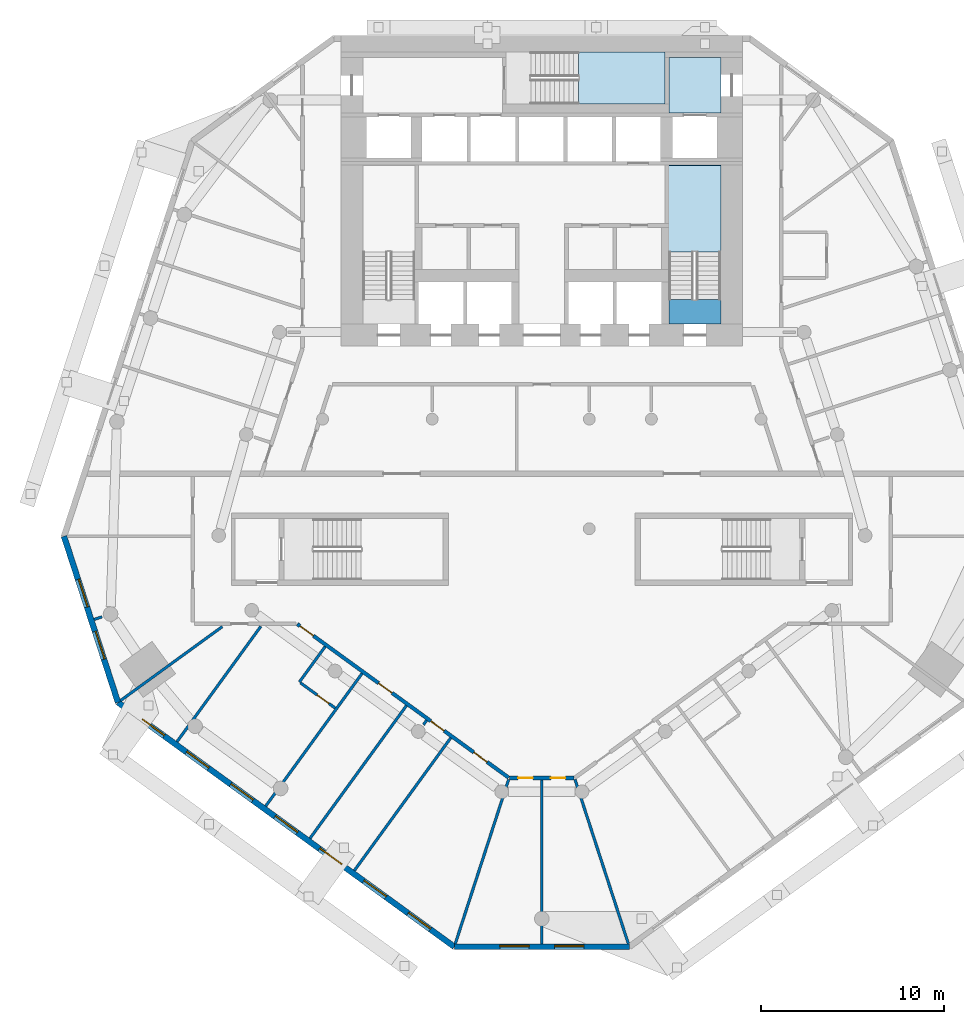
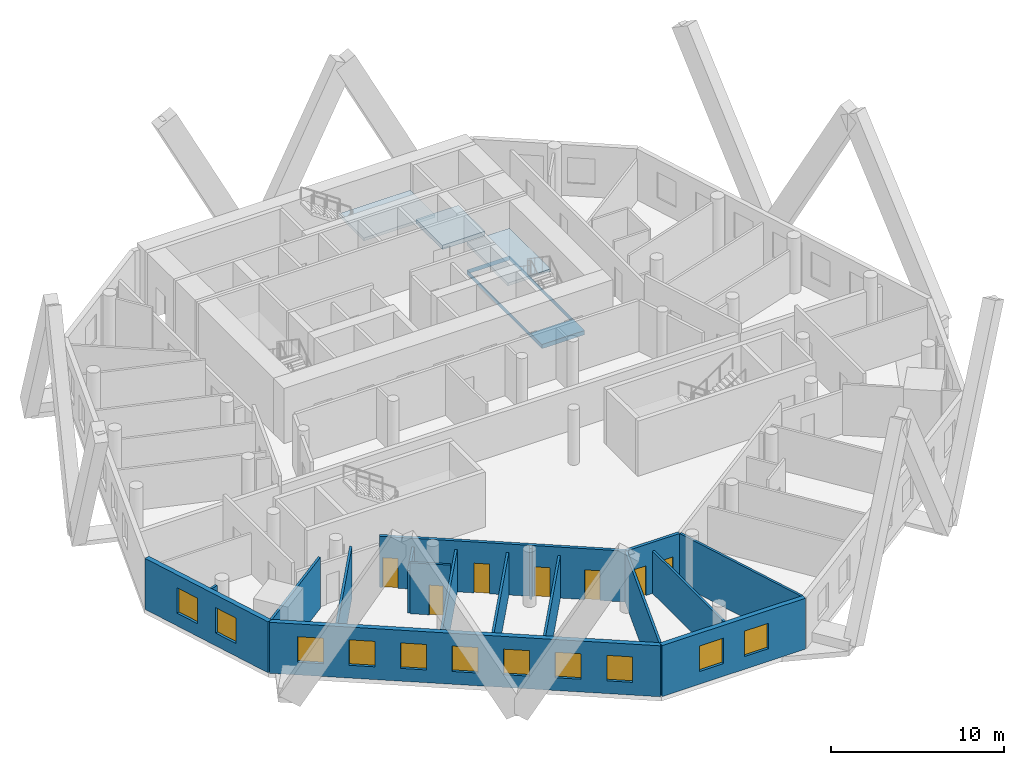
# One storey, part 3 of 10: 17 walls, 11 windows, 7 doors, 4 slabs, 18 openings, 2 elements without a shape of their own.
"""IFC4 building model written with IfcOpenShell, lengths in metres."""

from ifc_helpers import new_model, si_unit, direction, frame, frame_2d, origin, place, context, subcontext, project, spatial, polyline, rectangle, outline, extrude, material, layer, layer_set, type_object, element, fill, aggregate, save


model = new_model("IFC4")

# Units and contexts
model_context = context("Model", 3, precision=1e-05, world=origin(), true_north=direction((0.0, 1.0)))
body_context = subcontext(model_context, "Body", "Model", "MODEL_VIEW")
ifc_project = project(units=[si_unit("LENGTHUNIT", "METRE"), si_unit("AREAUNIT", "SQUARE_METRE"), si_unit("VOLUMEUNIT", "CUBIC_METRE"), si_unit("PLANEANGLEUNIT", "RADIAN"), si_unit("MASSUNIT", "GRAM", prefix="KILO")], contexts=[model_context])

# Site, building, storey
site_placement = place(None, origin())
site = spatial("IfcSite", under=ifc_project, at=site_placement, CompositionType="ELEMENT")
building_placement = place(site_placement, origin())
building = spatial("IfcBuilding", under=site, at=building_placement, Name="White Candle Pilgrim Tower", CompositionType="ELEMENT")
storey_placement = place(building_placement, frame((0.0, 0.0, 42.89990234375)))
storey = spatial("IfcBuildingStorey", under=building, at=storey_placement, Name="L07", CompositionType="ELEMENT", Elevation=42.89990234375)

# Slabs
ifc_material_1 = material(Name="Concrete C40/50", Category="concrete")
ifc_layer_1 = layer(ifc_material_1, 0.300048828125)
ifc_layer_set_1 = layer_set([ifc_layer_1], Name="Core floor slab 300 mm Concrete C40/50")
slab_type_1 = type_object("IfcSlabType", Name="Core floor slab 300 mm Concrete C40/50", PredefinedType="FLOOR", material=ifc_layer_set_1)
slab_1_placement = place(storey_placement, frame((0.0, 0.0, -0.2998046875)))
element("IfcSlab", 1, at=slab_1_placement, inside=storey, type_object=slab_type_1, Name="CF-L07-06", PredefinedType="FLOOR", context=body_context, shape_type="SweptSolid", body=[
    extrude(outline(polyline([(79.800048828125, 86.800048828125), (79.800048828125, 83.75), (76.949951171875, 83.75), (76.949951171875, 84.25), (76.949951171875, 86.800048828125), (79.800048828125, 86.800048828125)])), origin(), (0.0, 0.0, 1.0), 0.2998046875),
])
slab_2_placement = place(storey_placement, frame((0.0, 0.0, -0.2998046875)))
element("IfcSlab", 2, at=slab_2_placement, inside=storey, type_object=slab_type_1, Name="CF-L07-07", PredefinedType="FLOOR", context=body_context, shape_type="SweptSolid", body=[
    extrude(outline(polyline([(79.800048828125, 72.199951171875), (76.949951171875, 72.199951171875), (76.949951171875, 74.5), (76.949951171875, 75.199951171875), (76.949951171875, 77.5), (76.949951171875, 77.699951171875), (76.949951171875, 80.89990234375), (79.800048828125, 80.89990234375), (79.800048828125, 72.199951171875)]), holes=[polyline([(76.951904296875, 73.552001953125), (79.798095703125, 73.552001953125), (79.798095703125, 80.89794921875), (76.951904296875, 80.89794921875), (76.951904296875, 73.552001953125)])]), origin(), (0.0, 0.0, 1.0), 0.2998046875),
])

# Stair, slab
stair_type_1 = type_object("IfcStairType", Name="Exit stair 2 flight width 1350 mm", PredefinedType="HALF_TURN_STAIR", material=ifc_material_1)
stair_1_placement = place(storey_placement, origin())
stair_1 = element("IfcStair", 3, at=stair_1_placement, inside=storey, type_object=stair_type_1, Name="L07 stair 2", PredefinedType="NOTDEFINED")
ifc_layer_2 = layer(ifc_material_1, 0.199951171875)
ifc_layer_set_2 = layer_set([ifc_layer_2], Name="Stair landing Concrete C40/50")
slab_type_2 = type_object("IfcSlabType", Name="Stair landing Concrete C40/50", PredefinedType="LANDING", material=ifc_layer_set_2)
slab_3_placement = place(storey_placement, frame((0.0, 0.0, 1.75)))
slab_3 = element("IfcSlab", 4, at=slab_3_placement, type_object=slab_type_2, Name="ST2 landing 1", PredefinedType="LANDING", context=body_context, shape_type="SweptSolid", body=[
    extrude(outline(polyline([(79.802001953125, 76.14794921875), (76.947998046875, 76.14794921875), (76.947998046875, 80.902099609375), (79.802001953125, 80.902099609375), (79.802001953125, 76.14794921875)])), origin(), (0.0, 0.0, 1.0), 0.2001953125),
])
aggregate(stair_1, [slab_3])

stair_type_2 = type_object("IfcStairType", Name="Exit stair 3 flight width 1350 mm", PredefinedType="HALF_TURN_STAIR", material=ifc_material_1)
stair_2_placement = place(storey_placement, origin())
stair_2 = element("IfcStair", 5, at=stair_2_placement, inside=storey, type_object=stair_type_2, Name="L07 stair 3", PredefinedType="NOTDEFINED")
slab_4_placement = place(storey_placement, frame((0.0, 0.0, 1.75)))
slab_4 = element("IfcSlab", 6, at=slab_4_placement, type_object=slab_type_2, Name="ST3 landing 1", PredefinedType="LANDING", context=body_context, shape_type="SweptSolid", body=[
    extrude(outline(polyline([(71.998046875, 84.248046875), (71.998046875, 87.10205078125), (76.751953125, 87.10205078125), (76.751953125, 84.248046875), (71.998046875, 84.248046875)])), origin(), (0.0, 0.0, 1.0), 0.2001953125),
])
aggregate(stair_2, [slab_4])

# Wall, openings, doors
ifc_material_2 = material(Name="Gypsum board on steel studs", Category="steel")
ifc_layer_3 = layer(ifc_material_2, 0.199951171875)
ifc_layer_set_3 = layer_set([ifc_layer_3], Name="Corridor wall 200 mm EI 45")
wall_type_1 = type_object("IfcWallType", Name="Corridor wall 200 mm EI 45", PredefinedType="PARTITIONING", material=ifc_layer_set_3)
wall_1_placement = place(storey_placement, frame((71.7568359375, 47.354736328125, 0.0), z_axis=(0.0, 0.0, 1.0), x_axis=(-1.0, 0.0, 0.0)))
wall_1 = element("IfcWall", 7, at=wall_1_placement, inside=storey, type_object=wall_type_1, Name="WL-L07-P009", PredefinedType="PARTITIONING", context=body_context, shape_type="SweptSolid", body=[
    extrude(rectangle(XDim=3.513671875, YDim=0.199951171875, at=frame_2d((1.7568359375, 0.0))), origin(), (0.0, 0.0, 1.0), 3.60009765625),
])
opening_1_placement = place(wall_1_placement, frame((2.251708984375, 0.0, 0.0)))
opening_1 = element("IfcOpeningElement", 8, at=opening_1_placement, cuts=wall_1, Name="Opening T02-108", PredefinedType="OPENING", context=body_context, shape_type="SweptSolid", body=[
    extrude(rectangle(XDim=0.800048828125, YDim=2.10009765625, at=frame_2d((0.39990234375, 1.050048828125))), frame((0.0, 0.10986328125, 0.0), z_axis=(0.0, -1.0, 0.0), x_axis=(1.0, 0.0, 0.0)), (0.0, 0.0, 1.0), 0.219970703125),
])
opening_2_placement = place(wall_1_placement, frame((0.462158203125, 0.0, 0.0)))
opening_2 = element("IfcOpeningElement", 9, at=opening_2_placement, cuts=wall_1, Name="Opening T02-109", PredefinedType="OPENING", context=body_context, shape_type="SweptSolid", body=[
    extrude(rectangle(XDim=0.800048828125, YDim=2.10009765625, at=frame_2d((0.39990234375, 1.050048828125))), frame((0.0, 0.10986328125, 0.0), z_axis=(0.0, -1.0, 0.0), x_axis=(1.0, 0.0, 0.0)), (0.0, 0.0, 1.0), 0.219970703125),
])
ifc_material_3 = material(Name="Steel door leaf", Category="steel")
door_type_1 = type_object("IfcDoorType", Name="Fire door 800 x 2100 EI 30", OperationType="NOTDEFINED", PredefinedType="DOOR", material=ifc_material_3)
door_1_placement = place(opening_1_placement, origin())
door_1 = element("IfcDoor", 10, at=door_1_placement, inside=storey, type_object=door_type_1, Name="Door T02-108", OperationType="SINGLE_SWING_RIGHT", OverallHeight=2.10009765625, OverallWidth=0.800048828125, PredefinedType="DOOR", context=body_context, shape_type="SweptSolid", body=[
    extrude(rectangle(XDim=0.800048828125, YDim=2.10009765625, at=frame_2d((0.39990234375, 1.050048828125))), frame((0.0, 0.02490234375, 0.0), z_axis=(0.0, -1.0, 0.0), x_axis=(1.0, 0.0, 0.0)), (0.0, 0.0, 1.0), 0.050048828125),
])
fill(opening_1, door_1)
door_2_placement = place(opening_2_placement, origin())
door_2 = element("IfcDoor", 11, at=door_2_placement, inside=storey, type_object=door_type_1, Name="Door T02-109", OperationType="SINGLE_SWING_LEFT", OverallHeight=2.10009765625, OverallWidth=0.800048828125, PredefinedType="DOOR", context=body_context, shape_type="SweptSolid", body=[
    extrude(rectangle(XDim=0.800048828125, YDim=2.10009765625, at=frame_2d((0.39990234375, 1.050048828125))), frame((0.0, 0.02490234375, 0.0), z_axis=(0.0, -1.0, 0.0), x_axis=(1.0, 0.0, 0.0)), (0.0, 0.0, 1.0), 0.050048828125),
])
fill(opening_2, door_2)

wall_2_placement = place(storey_placement, frame((68.184326171875, 47.373779296875, 0.0), z_axis=(0.0, 0.0, 1.0), x_axis=(-0.809010579214, 0.587794081902, 0.0)))
wall_2 = element("IfcWall", 12, at=wall_2_placement, inside=storey, type_object=wall_type_1, Name="WL-L07-P010", PredefinedType="PARTITIONING", context=body_context, shape_type="SweptSolid", body=[
    extrude(rectangle(XDim=14.302978515625, YDim=0.199951171875, at=frame_2d((7.1513671875, 0.0))), origin(), (0.0, 0.0, 1.0), 3.60009765625),
])
opening_3_placement = place(wall_2_placement, frame((13.215576171875, 0.0, 0.0)))
opening_3 = element("IfcOpeningElement", 13, at=opening_3_placement, cuts=wall_2, Name="Opening T02-104", PredefinedType="OPENING", context=body_context, shape_type="SweptSolid", body=[
    extrude(rectangle(XDim=0.89990234375, YDim=2.10009765625, at=frame_2d((0.449951171875, 1.050048828125))), frame((0.0, 0.10986328125, 0.0), z_axis=(0.0, -1.0, 0.0), x_axis=(1.0, 0.0, 0.0)), (0.0, 0.0, 1.0), 0.219970703125),
])
opening_4_placement = place(wall_2_placement, frame((7.8935546875, 0.0, 0.0)))
opening_4 = element("IfcOpeningElement", 14, at=opening_4_placement, cuts=wall_2, Name="Opening T02-105", PredefinedType="OPENING", context=body_context, shape_type="SweptSolid", body=[
    extrude(rectangle(XDim=0.89990234375, YDim=2.10009765625, at=frame_2d((0.449951171875, 1.050048828125))), frame((0.0, 0.10986328125, 0.0), z_axis=(0.0, -1.0, 0.0), x_axis=(1.0, 0.0, 0.0)), (0.0, 0.0, 1.0), 0.219970703125),
])
opening_5_placement = place(wall_2_placement, frame((4.36865234375, 0.0, 0.0)))
opening_5 = element("IfcOpeningElement", 15, at=opening_5_placement, cuts=wall_2, Name="Opening T02-106", PredefinedType="OPENING", context=body_context, shape_type="SweptSolid", body=[
    extrude(rectangle(XDim=0.89990234375, YDim=2.10009765625, at=frame_2d((0.449951171875, 1.050048828125))), frame((0.0, 0.10986328125, 0.0), z_axis=(0.0, -1.0, 0.0), x_axis=(1.0, 0.0, 0.0)), (0.0, 0.0, 1.0), 0.219970703125),
])
opening_6_placement = place(wall_2_placement, frame((1.45556640625, 0.0, 0.0)))
opening_6 = element("IfcOpeningElement", 16, at=opening_6_placement, cuts=wall_2, Name="Opening T02-107", PredefinedType="OPENING", context=body_context, shape_type="SweptSolid", body=[
    extrude(rectangle(XDim=0.89990234375, YDim=2.10009765625, at=frame_2d((0.449951171875, 1.050048828125))), frame((0.0, 0.10986328125, 0.0), z_axis=(0.0, -1.0, 0.0), x_axis=(1.0, 0.0, 0.0)), (0.0, 0.0, 1.0), 0.219970703125),
])
door_type_2 = type_object("IfcDoorType", Name="Fire door 900 x 2100 EI 30", OperationType="NOTDEFINED", PredefinedType="DOOR", material=ifc_material_3)
door_3_placement = place(opening_3_placement, origin())
door_3 = element("IfcDoor", 17, at=door_3_placement, inside=storey, type_object=door_type_2, Name="Door T02-104", OperationType="SINGLE_SWING_RIGHT", OverallHeight=2.10009765625, OverallWidth=0.89990234375, PredefinedType="DOOR", context=body_context, shape_type="SweptSolid", body=[
    extrude(rectangle(XDim=0.89990234375, YDim=2.10009765625, at=frame_2d((0.449951171875, 1.050048828125))), frame((0.0, 0.02490234375, 0.0), z_axis=(0.0, -1.0, 0.0), x_axis=(1.0, 0.0, 0.0)), (0.0, 0.0, 1.0), 0.050048828125),
])
fill(opening_3, door_3)
door_4_placement = place(opening_4_placement, origin())
door_4 = element("IfcDoor", 18, at=door_4_placement, inside=storey, type_object=door_type_2, Name="Door T02-105", OperationType="SINGLE_SWING_LEFT", OverallHeight=2.10009765625, OverallWidth=0.89990234375, PredefinedType="DOOR", context=body_context, shape_type="SweptSolid", body=[
    extrude(rectangle(XDim=0.89990234375, YDim=2.10009765625, at=frame_2d((0.449951171875, 1.050048828125))), frame((0.0, 0.02490234375, 0.0), z_axis=(0.0, -1.0, 0.0), x_axis=(1.0, 0.0, 0.0)), (0.0, 0.0, 1.0), 0.050048828125),
])
fill(opening_4, door_4)
door_5_placement = place(opening_5_placement, origin())
door_5 = element("IfcDoor", 19, at=door_5_placement, inside=storey, type_object=door_type_2, Name="Door T02-106", OperationType="SINGLE_SWING_LEFT", OverallHeight=2.10009765625, OverallWidth=0.89990234375, PredefinedType="DOOR", context=body_context, shape_type="SweptSolid", body=[
    extrude(rectangle(XDim=0.89990234375, YDim=2.10009765625, at=frame_2d((0.449951171875, 1.050048828125))), frame((0.0, 0.02490234375, 0.0), z_axis=(0.0, -1.0, 0.0), x_axis=(1.0, 0.0, 0.0)), (0.0, 0.0, 1.0), 0.050048828125),
])
fill(opening_5, door_5)
door_6_placement = place(opening_6_placement, origin())
door_6 = element("IfcDoor", 20, at=door_6_placement, inside=storey, type_object=door_type_2, Name="Door T02-107", OperationType="SINGLE_SWING_LEFT", OverallHeight=2.10009765625, OverallWidth=0.89990234375, PredefinedType="DOOR", context=body_context, shape_type="SweptSolid", body=[
    extrude(rectangle(XDim=0.89990234375, YDim=2.10009765625, at=frame_2d((0.449951171875, 1.050048828125))), frame((0.0, 0.02490234375, 0.0), z_axis=(0.0, -1.0, 0.0), x_axis=(1.0, 0.0, 0.0)), (0.0, 0.0, 1.0), 0.050048828125),
])
fill(opening_6, door_6)

# Wall, openings, windows
ifc_material_4 = material(Name="Precast concrete C40/50", Category="concrete")
ifc_layer_4 = layer(ifc_material_4, 0.320068359375)
ifc_layer_set_4 = layer_set([ifc_layer_4], Name="Facade wall EW1 precast concrete C40/50 pier wall with timber-lined reveals")
wall_type_2 = type_object("IfcWallType", Name="Facade wall EW1 precast concrete C40/50 pier wall with timber-lined reveals", PredefinedType="SOLIDWALL", material=ifc_layer_set_4)
wall_3_placement = place(storey_placement, frame((43.8408203125, 60.59130859375, 0.0), z_axis=(0.0, 0.0, 1.0), x_axis=(0.309023765379, -0.951054316236, 0.0)))
wall_3 = element("IfcWall", 21, at=wall_3_placement, inside=storey, type_object=wall_type_2, Name="Facade wall L07 W chamfer", PredefinedType="SOLIDWALL", context=body_context, shape_type="SweptSolid", body=[
    extrude(rectangle(XDim=9.56884765625, YDim=0.320068359375, at=frame_2d((4.784423828125, 0.0))), origin(), (0.0, 0.0, 1.0), 3.60009765625),
])
opening_7_placement = place(wall_3_placement, frame((2.484375, 0.0, 0.89990234375)))
opening_7 = element("IfcOpeningElement", 22, at=opening_7_placement, cuts=wall_3, Name="Opening W2", PredefinedType="OPENING", context=body_context, shape_type="SweptSolid", body=[
    extrude(rectangle(XDim=1.60009765625, YDim=1.800048828125, at=frame_2d((0.800048828125, 0.89990234375))), frame((0.0, 0.169921875, 0.0), z_axis=(0.0, -1.0, 0.0), x_axis=(1.0, 0.0, 0.0)), (0.0, 0.0, 1.0), 0.340087890625),
])
opening_8_placement = place(wall_3_placement, frame((5.484375, 0.0, 0.89990234375)))
opening_8 = element("IfcOpeningElement", 23, at=opening_8_placement, cuts=wall_3, Name="Opening W2", PredefinedType="OPENING", context=body_context, shape_type="SweptSolid", body=[
    extrude(rectangle(XDim=1.60009765625, YDim=1.800048828125, at=frame_2d((0.800048828125, 0.89990234375))), frame((0.0, 0.169921875, 0.0), z_axis=(0.0, -1.0, 0.0), x_axis=(1.0, 0.0, 0.0)), (0.0, 0.0, 1.0), 0.340087890625),
])
ifc_material_5 = material(Name="Timber frame with triple glazing", Category="wood")
window_type_1 = type_object("IfcWindowType", Name="Window W2 1600x1800 timber frame triple glazing", PartitioningType="SINGLE_PANEL", PredefinedType="WINDOW", material=ifc_material_5)
window_1_placement = place(opening_7_placement, origin())
window_1 = element("IfcWindow", 24, at=window_1_placement, inside=storey, type_object=window_type_1, Name="Window W2 L07 W chamfer 1", OverallHeight=1.800048828125, OverallWidth=1.60009765625, PartitioningType="SINGLE_PANEL", PredefinedType="WINDOW", context=body_context, shape_type="SweptSolid", body=[
    extrude(rectangle(XDim=1.60009765625, YDim=1.800048828125, at=frame_2d((0.800048828125, 0.89990234375))), frame((0.0, 0.070068359375, 0.0), z_axis=(0.0, -1.0, 0.0), x_axis=(1.0, 0.0, 0.0)), (0.0, 0.0, 1.0), 0.06005859375),
])
fill(opening_7, window_1)
window_2_placement = place(opening_8_placement, origin())
window_2 = element("IfcWindow", 25, at=window_2_placement, inside=storey, type_object=window_type_1, Name="Window W2 L07 W chamfer 2", OverallHeight=1.800048828125, OverallWidth=1.60009765625, PartitioningType="SINGLE_PANEL", PredefinedType="WINDOW", context=body_context, shape_type="SweptSolid", body=[
    extrude(rectangle(XDim=1.60009765625, YDim=1.800048828125, at=frame_2d((0.800048828125, 0.89990234375))), frame((0.0, 0.070068359375, 0.0), z_axis=(0.0, -1.0, 0.0), x_axis=(1.0, 0.0, 0.0)), (0.0, 0.0, 1.0), 0.06005859375),
])
fill(opening_8, window_2)

wall_4_placement = place(storey_placement, frame((46.7978515625, 51.49072265625, 0.0), z_axis=(0.0, 0.0, 1.0), x_axis=(0.80901991267, -0.587781235583, 0.0)))
wall_4 = element("IfcWall", 26, at=wall_4_placement, inside=storey, type_object=wall_type_2, Name="Facade wall L07 SW", PredefinedType="SOLIDWALL", context=body_context, shape_type="SweptSolid", body=[
    extrude(rectangle(XDim=22.7568359375, YDim=0.320068359375, at=frame_2d((11.37841796875, 0.0))), origin(), (0.0, 0.0, 1.0), 3.60009765625),
])
opening_9_placement = place(wall_4_placement, frame((1.62841796875, 0.0, 0.89990234375)))
opening_9 = element("IfcOpeningElement", 27, at=opening_9_placement, cuts=wall_4, Name="Opening W1", PredefinedType="OPENING", context=body_context, shape_type="SweptSolid", body=[
    extrude(rectangle(XDim=1.5, YDim=1.800048828125, at=frame_2d((0.75, 0.89990234375))), frame((0.0, 0.169921875, 0.0), z_axis=(0.0, -1.0, 0.0), x_axis=(1.0, 0.0, 0.0)), (0.0, 0.0, 1.0), 0.340087890625),
])
opening_10_placement = place(wall_4_placement, frame((4.62841796875, 0.0, 0.89990234375)))
opening_10 = element("IfcOpeningElement", 28, at=opening_10_placement, cuts=wall_4, Name="Opening W1", PredefinedType="OPENING", context=body_context, shape_type="SweptSolid", body=[
    extrude(rectangle(XDim=1.5, YDim=1.800048828125, at=frame_2d((0.75, 0.89990234375))), frame((0.0, 0.169921875, 0.0), z_axis=(0.0, -1.0, 0.0), x_axis=(1.0, 0.0, 0.0)), (0.0, 0.0, 1.0), 0.340087890625),
])
opening_11_placement = place(wall_4_placement, frame((7.62841796875, 0.0, 0.89990234375)))
opening_11 = element("IfcOpeningElement", 29, at=opening_11_placement, cuts=wall_4, Name="Opening W1", PredefinedType="OPENING", context=body_context, shape_type="SweptSolid", body=[
    extrude(rectangle(XDim=1.5, YDim=1.800048828125, at=frame_2d((0.75, 0.89990234375))), frame((0.0, 0.169921875, 0.0), z_axis=(0.0, -1.0, 0.0), x_axis=(1.0, 0.0, 0.0)), (0.0, 0.0, 1.0), 0.340087890625),
])
opening_12_placement = place(wall_4_placement, frame((10.62841796875, 0.0, 0.89990234375)))
opening_12 = element("IfcOpeningElement", 30, at=opening_12_placement, cuts=wall_4, Name="Opening W1", PredefinedType="OPENING", context=body_context, shape_type="SweptSolid", body=[
    extrude(rectangle(XDim=1.5, YDim=1.800048828125, at=frame_2d((0.75, 0.89990234375))), frame((0.0, 0.169921875, 0.0), z_axis=(0.0, -1.0, 0.0), x_axis=(1.0, 0.0, 0.0)), (0.0, 0.0, 1.0), 0.340087890625),
])
opening_13_placement = place(wall_4_placement, frame((13.62841796875, 0.0, 0.89990234375)))
opening_13 = element("IfcOpeningElement", 31, at=opening_13_placement, cuts=wall_4, Name="Opening W1", PredefinedType="OPENING", context=body_context, shape_type="SweptSolid", body=[
    extrude(rectangle(XDim=1.5, YDim=1.800048828125, at=frame_2d((0.75, 0.89990234375))), frame((0.0, 0.169921875, 0.0), z_axis=(0.0, -1.0, 0.0), x_axis=(1.0, 0.0, 0.0)), (0.0, 0.0, 1.0), 0.340087890625),
])
opening_14_placement = place(wall_4_placement, frame((16.62841796875, 0.0, 0.89990234375)))
opening_14 = element("IfcOpeningElement", 32, at=opening_14_placement, cuts=wall_4, Name="Opening W1", PredefinedType="OPENING", context=body_context, shape_type="SweptSolid", body=[
    extrude(rectangle(XDim=1.5, YDim=1.800048828125, at=frame_2d((0.75, 0.89990234375))), frame((0.0, 0.169921875, 0.0), z_axis=(0.0, -1.0, 0.0), x_axis=(1.0, 0.0, 0.0)), (0.0, 0.0, 1.0), 0.340087890625),
])
opening_15_placement = place(wall_4_placement, frame((19.62841796875, 0.0, 0.89990234375)))
opening_15 = element("IfcOpeningElement", 33, at=opening_15_placement, cuts=wall_4, Name="Opening W1", PredefinedType="OPENING", context=body_context, shape_type="SweptSolid", body=[
    extrude(rectangle(XDim=1.5, YDim=1.800048828125, at=frame_2d((0.75, 0.89990234375))), frame((0.0, 0.169921875, 0.0), z_axis=(0.0, -1.0, 0.0), x_axis=(1.0, 0.0, 0.0)), (0.0, 0.0, 1.0), 0.340087890625),
])
window_type_2 = type_object("IfcWindowType", Name="Window W1 1500x1800 timber frame triple glazing", PartitioningType="SINGLE_PANEL", PredefinedType="WINDOW", material=ifc_material_5)
window_3_placement = place(opening_9_placement, origin())
window_3 = element("IfcWindow", 34, at=window_3_placement, inside=storey, type_object=window_type_2, Name="Window W1 L07 SW 1", OverallHeight=1.800048828125, OverallWidth=1.5, PartitioningType="SINGLE_PANEL", PredefinedType="WINDOW", context=body_context, shape_type="SweptSolid", body=[
    extrude(rectangle(XDim=1.5, YDim=1.800048828125, at=frame_2d((0.75, 0.89990234375))), frame((0.0, 0.070068359375, 0.0), z_axis=(0.0, -1.0, 0.0), x_axis=(1.0, 0.0, 0.0)), (0.0, 0.0, 1.0), 0.06005859375),
])
fill(opening_9, window_3)
window_4_placement = place(opening_10_placement, origin())
window_4 = element("IfcWindow", 35, at=window_4_placement, inside=storey, type_object=window_type_2, Name="Window W1 L07 SW 2", OverallHeight=1.800048828125, OverallWidth=1.5, PartitioningType="SINGLE_PANEL", PredefinedType="WINDOW", context=body_context, shape_type="SweptSolid", body=[
    extrude(rectangle(XDim=1.5, YDim=1.800048828125, at=frame_2d((0.75, 0.89990234375))), frame((0.0, 0.070068359375, 0.0), z_axis=(0.0, -1.0, 0.0), x_axis=(1.0, 0.0, 0.0)), (0.0, 0.0, 1.0), 0.06005859375),
])
fill(opening_10, window_4)
window_5_placement = place(opening_11_placement, origin())
window_5 = element("IfcWindow", 36, at=window_5_placement, inside=storey, type_object=window_type_2, Name="Window W1 L07 SW 3", OverallHeight=1.800048828125, OverallWidth=1.5, PartitioningType="SINGLE_PANEL", PredefinedType="WINDOW", context=body_context, shape_type="SweptSolid", body=[
    extrude(rectangle(XDim=1.5, YDim=1.800048828125, at=frame_2d((0.75, 0.89990234375))), frame((0.0, 0.070068359375, 0.0), z_axis=(0.0, -1.0, 0.0), x_axis=(1.0, 0.0, 0.0)), (0.0, 0.0, 1.0), 0.06005859375),
])
fill(opening_11, window_5)
window_6_placement = place(opening_12_placement, origin())
window_6 = element("IfcWindow", 37, at=window_6_placement, inside=storey, type_object=window_type_2, Name="Window W1 L07 SW 4", OverallHeight=1.800048828125, OverallWidth=1.5, PartitioningType="SINGLE_PANEL", PredefinedType="WINDOW", context=body_context, shape_type="SweptSolid", body=[
    extrude(rectangle(XDim=1.5, YDim=1.800048828125, at=frame_2d((0.75, 0.89990234375))), frame((0.0, 0.070068359375, 0.0), z_axis=(0.0, -1.0, 0.0), x_axis=(1.0, 0.0, 0.0)), (0.0, 0.0, 1.0), 0.06005859375),
])
fill(opening_12, window_6)
window_7_placement = place(opening_13_placement, origin())
window_7 = element("IfcWindow", 38, at=window_7_placement, inside=storey, type_object=window_type_2, Name="Window W1 L07 SW 5", OverallHeight=1.800048828125, OverallWidth=1.5, PartitioningType="SINGLE_PANEL", PredefinedType="WINDOW", context=body_context, shape_type="SweptSolid", body=[
    extrude(rectangle(XDim=1.5, YDim=1.800048828125, at=frame_2d((0.75, 0.89990234375))), frame((0.0, 0.070068359375, 0.0), z_axis=(0.0, -1.0, 0.0), x_axis=(1.0, 0.0, 0.0)), (0.0, 0.0, 1.0), 0.06005859375),
])
fill(opening_13, window_7)
window_8_placement = place(opening_14_placement, origin())
window_8 = element("IfcWindow", 39, at=window_8_placement, inside=storey, type_object=window_type_2, Name="Window W1 L07 SW 6", OverallHeight=1.800048828125, OverallWidth=1.5, PartitioningType="SINGLE_PANEL", PredefinedType="WINDOW", context=body_context, shape_type="SweptSolid", body=[
    extrude(rectangle(XDim=1.5, YDim=1.800048828125, at=frame_2d((0.75, 0.89990234375))), frame((0.0, 0.070068359375, 0.0), z_axis=(0.0, -1.0, 0.0), x_axis=(1.0, 0.0, 0.0)), (0.0, 0.0, 1.0), 0.06005859375),
])
fill(opening_14, window_8)
window_9_placement = place(opening_15_placement, origin())
window_9 = element("IfcWindow", 40, at=window_9_placement, inside=storey, type_object=window_type_2, Name="Window W1 L07 SW 7", OverallHeight=1.800048828125, OverallWidth=1.5, PartitioningType="SINGLE_PANEL", PredefinedType="WINDOW", context=body_context, shape_type="SweptSolid", body=[
    extrude(rectangle(XDim=1.5, YDim=1.800048828125, at=frame_2d((0.75, 0.89990234375))), frame((0.0, 0.070068359375, 0.0), z_axis=(0.0, -1.0, 0.0), x_axis=(1.0, 0.0, 0.0)), (0.0, 0.0, 1.0), 0.06005859375),
])
fill(opening_15, window_9)

wall_5_placement = place(storey_placement, frame((65.20849609375, 38.11474609375, 0.0), z_axis=(0.0, 0.0, 1.0), x_axis=(1.0, 0.0, 0.0)))
wall_5 = element("IfcWall", 41, at=wall_5_placement, inside=storey, type_object=wall_type_2, Name="Facade wall L07 S chamfer", PredefinedType="SOLIDWALL", context=body_context, shape_type="SweptSolid", body=[
    extrude(rectangle(XDim=9.5830078125, YDim=0.320068359375, at=frame_2d((4.79150390625, 0.0))), origin(), (0.0, 0.0, 1.0), 3.60009765625),
])
opening_16_placement = place(wall_5_placement, frame((2.49169921875, 0.0, 0.89990234375)))
opening_16 = element("IfcOpeningElement", 42, at=opening_16_placement, cuts=wall_5, Name="Opening W2", PredefinedType="OPENING", context=body_context, shape_type="SweptSolid", body=[
    extrude(rectangle(XDim=1.60009765625, YDim=1.800048828125, at=frame_2d((0.800048828125, 0.89990234375))), frame((0.0, 0.169921875, 0.0), z_axis=(0.0, -1.0, 0.0), x_axis=(1.0, 0.0, 0.0)), (0.0, 0.0, 1.0), 0.340087890625),
])
opening_17_placement = place(wall_5_placement, frame((5.49169921875, 0.0, 0.89990234375)))
opening_17 = element("IfcOpeningElement", 43, at=opening_17_placement, cuts=wall_5, Name="Opening W2", PredefinedType="OPENING", context=body_context, shape_type="SweptSolid", body=[
    extrude(rectangle(XDim=1.60009765625, YDim=1.800048828125, at=frame_2d((0.800048828125, 0.89990234375))), frame((0.0, 0.169921875, 0.0), z_axis=(0.0, -1.0, 0.0), x_axis=(1.0, 0.0, 0.0)), (0.0, 0.0, 1.0), 0.340087890625),
])
window_10_placement = place(opening_16_placement, origin())
window_10 = element("IfcWindow", 44, at=window_10_placement, inside=storey, type_object=window_type_1, Name="Window W2 L07 S chamfer 1", OverallHeight=1.800048828125, OverallWidth=1.60009765625, PartitioningType="SINGLE_PANEL", PredefinedType="WINDOW", context=body_context, shape_type="SweptSolid", body=[
    extrude(rectangle(XDim=1.60009765625, YDim=1.800048828125, at=frame_2d((0.800048828125, 0.89990234375))), frame((0.0, 0.070068359375, 0.0), z_axis=(0.0, -1.0, 0.0), x_axis=(1.0, 0.0, 0.0)), (0.0, 0.0, 1.0), 0.06005859375),
])
fill(opening_16, window_10)
window_11_placement = place(opening_17_placement, origin())
window_11 = element("IfcWindow", 45, at=window_11_placement, inside=storey, type_object=window_type_1, Name="Window W2 L07 S chamfer 2", OverallHeight=1.800048828125, OverallWidth=1.60009765625, PartitioningType="SINGLE_PANEL", PredefinedType="WINDOW", context=body_context, shape_type="SweptSolid", body=[
    extrude(rectangle(XDim=1.60009765625, YDim=1.800048828125, at=frame_2d((0.800048828125, 0.89990234375))), frame((0.0, 0.070068359375, 0.0), z_axis=(0.0, -1.0, 0.0), x_axis=(1.0, 0.0, 0.0)), (0.0, 0.0, 1.0), 0.06005859375),
])
fill(opening_17, window_11)

# Walls
ifc_layer_5 = layer(ifc_material_2, 0.14990234375)
ifc_layer_set_5 = layer_set([ifc_layer_5], Name="Partition 150 mm EI 60")
wall_type_3 = type_object("IfcWallType", Name="Partition 150 mm EI 60", PredefinedType="PARTITIONING", material=ifc_layer_set_5)
wall_6_placement = place(storey_placement, frame((46.93408203125, 51.589599609375, 0.0), z_axis=(0.0, 0.0, 1.0), x_axis=(0.809011812166, 0.587792384925, 0.0)))
element("IfcWall", 46, at=wall_6_placement, inside=storey, type_object=wall_type_3, Name="WL-L07-P018", PredefinedType="PARTITIONING", context=body_context, shape_type="SweptSolid", body=[
    extrude(rectangle(XDim=6.889892578125, YDim=0.14990234375, at=frame_2d((3.44482421875, 0.0))), origin(), (0.0, 0.0, 1.0), 3.60009765625),
])
for number, where, z_axis, x_axis, name in (
    (47, (65.260498046875, 38.274658203125, 0.0), (0.0, 0.0, 1.0), (0.3090043917, 0.95106061106, 0.0), "WL-L07-P019"),
    (48, (74.739501953125, 38.274658203125, 0.0), (0.0, 0.0, 1.0), (-0.3090043917, 0.95106061106, 0.0), "WL-L07-P020"),
):
    element("IfcWall", number, at=place(storey_placement, frame(where, z_axis=z_axis, x_axis=x_axis)), inside=storey, type_object=wall_type_3, Name=name, PredefinedType="PARTITIONING", context=body_context, shape_type="SweptSolid", body=[
        extrude(rectangle(XDim=9.462158203125, YDim=0.14990234375, at=frame_2d((4.73095703125, 0.0))), origin(), (0.0, 0.0, 1.0), 3.60009765625),
    ])
wall_7_placement = place(storey_placement, frame((50.029541015625, 49.340576171875, 0.0), z_axis=(0.0, 0.0, 1.0), x_axis=(0.587781115061, 0.809020000234, 0.0)))
element("IfcWall", 49, at=wall_7_placement, inside=storey, type_object=wall_type_3, Name="WL-L07-P029", PredefinedType="PARTITIONING", context=body_context, shape_type="SweptSolid", body=[
    extrude(rectangle(XDim=7.80615234375, YDim=0.14990234375, at=frame_2d((3.903076171875, 0.0))), origin(), (0.0, 0.0, 1.0), 3.60009765625),
])
wall_8_placement = place(storey_placement, frame((54.8837890625, 45.813720703125, 0.0), z_axis=(0.0, 0.0, 1.0), x_axis=(0.587777199641, 0.809022844908, 0.0)))
element("IfcWall", 50, at=wall_8_placement, inside=storey, type_object=wall_type_3, Name="WL-L07-P030", PredefinedType="PARTITIONING", context=body_context, shape_type="SweptSolid", body=[
    extrude(rectangle(XDim=8.980224609375, YDim=0.14990234375, at=frame_2d((4.490234375, 0.0))), origin(), (0.0, 0.0, 1.0), 3.0),
])
for number, where, z_axis, x_axis, name in (
    (51, (57.310791015625, 44.050537109375, 0.0), (0.0, 0.0, 1.0), (0.587790127827, 0.809013452069, 0.0), "WL-L07-P031"),
    (52, (59.73779296875, 42.287109375, 0.0), (0.0, 0.0, 1.0), (0.587790127827, 0.809013452069, 0.0), "WL-L07-P032"),
):
    element("IfcWall", number, at=place(storey_placement, frame(where, z_axis=z_axis, x_axis=x_axis)), inside=storey, type_object=wall_type_3, Name=name, PredefinedType="PARTITIONING", context=body_context, shape_type="SweptSolid", body=[
        extrude(rectangle(XDim=8.97998046875, YDim=0.14990234375, at=frame_2d((4.489990234375, 0.0))), origin(), (0.0, 0.0, 1.0), 3.0),
    ])
wall_9_placement = place(storey_placement, frame((58.139404296875, 54.548095703125, 0.0), z_axis=(0.0, 0.0, 1.0), x_axis=(-0.587820796465, -0.808991168829, 0.0)))
element("IfcWall", 53, at=wall_9_placement, inside=storey, type_object=wall_type_3, Name="WL-L07-P033", PredefinedType="PARTITIONING", context=body_context, shape_type="SweptSolid", body=[
    extrude(rectangle(XDim=2.39990234375, YDim=0.14990234375, at=frame_2d((1.199951171875, 0.0))), origin(), (0.0, 0.0, 1.0), 3.0),
])

# Wall, opening, door
wall_10_placement = place(storey_placement, frame((58.690673828125, 51.18115234375, 0.0), z_axis=(0.0, 0.0, 1.0), x_axis=(-0.809032466197, 0.587763956567, 0.0)))
wall_10 = element("IfcWall", 54, at=wall_10_placement, inside=storey, type_object=wall_type_3, Name="WL-L07-P034", PredefinedType="PARTITIONING", context=body_context, shape_type="SweptSolid", body=[
    extrude(rectangle(XDim=2.35009765625, YDim=0.14990234375, at=frame_2d((1.175048828125, 0.0))), origin(), (0.0, 0.0, 1.0), 3.60009765625),
])
opening_18_placement = place(wall_10_placement, frame((0.425048828125, 0.0, 0.0)))
opening_18 = element("IfcOpeningElement", 55, at=opening_18_placement, cuts=wall_10, Name="Opening T02-103", PredefinedType="OPENING", context=body_context, shape_type="SweptSolid", body=[
    extrude(rectangle(XDim=0.800048828125, YDim=2.10009765625, at=frame_2d((0.39990234375, 1.050048828125))), frame((0.0, 0.0849609375, 0.0), z_axis=(0.0, -1.0, 0.0), x_axis=(1.0, 0.0, 0.0)), (0.0, 0.0, 1.0), 0.169921875),
])
door_7_placement = place(opening_18_placement, origin())
door_7 = element("IfcDoor", 56, at=door_7_placement, inside=storey, type_object=door_type_1, Name="Door T02-103", OperationType="SINGLE_SWING_LEFT", OverallHeight=2.10009765625, OverallWidth=0.800048828125, PredefinedType="DOOR", context=body_context, shape_type="SweptSolid", body=[
    extrude(rectangle(XDim=0.800048828125, YDim=2.10009765625, at=frame_2d((0.39990234375, 1.050048828125))), frame((0.0, 0.02490234375, 0.0), z_axis=(0.0, -1.0, 0.0), x_axis=(1.0, 0.0, 0.0)), (0.0, 0.0, 1.0), 0.050048828125),
])
fill(opening_18, door_7)

# Walls
wall_11_placement = place(storey_placement, frame((70.0, 38.274658203125, 0.0), z_axis=(0.0, 0.0, 1.0), x_axis=(0.0, 1.0, 0.0)))
element("IfcWall", 57, at=wall_11_placement, inside=storey, type_object=wall_type_3, Name="WL-L07-P035", PredefinedType="PARTITIONING", context=body_context, shape_type="SweptSolid", body=[
    extrude(rectangle(XDim=8.97998046875, YDim=0.14990234375, at=frame_2d((4.489990234375, 0.0))), origin(), (0.0, 0.0, 1.0), 3.0),
])
wall_12_placement = place(storey_placement, frame((45.92529296875, 56.1748046875, 0.0), z_axis=(0.0, 0.0, 1.0), x_axis=(-0.951108522522, -0.308856889815, 0.0)))
element("IfcWall", 58, at=wall_12_placement, inside=storey, type_object=wall_type_3, Name="WL-L07-P049", PredefinedType="PARTITIONING", context=body_context, shape_type="SweptSolid", body=[
    extrude(rectangle(XDim=0.457763671875, YDim=0.14990234375, at=frame_2d((0.22900390625, 0.0))), origin(), (0.0, 0.0, 1.0), 3.60009765625),
])
wall_13_placement = place(storey_placement, frame((63.520751953125, 50.2705078125, 0.0), z_axis=(0.0, 0.0, 1.0), x_axis=(0.588122924679, 0.808771553324, 0.0)))
element("IfcWall", 59, at=wall_13_placement, inside=storey, type_object=wall_type_3, Name="WL-L07-P051", PredefinedType="PARTITIONING", context=body_context, shape_type="SweptSolid", body=[
    extrude(rectangle(XDim=0.297607421875, YDim=0.14990234375, at=frame_2d((0.14892578125, 0.0))), origin(), (0.0, 0.0, 1.0), 3.60009765625),
])

save(model, "model.ifc")
